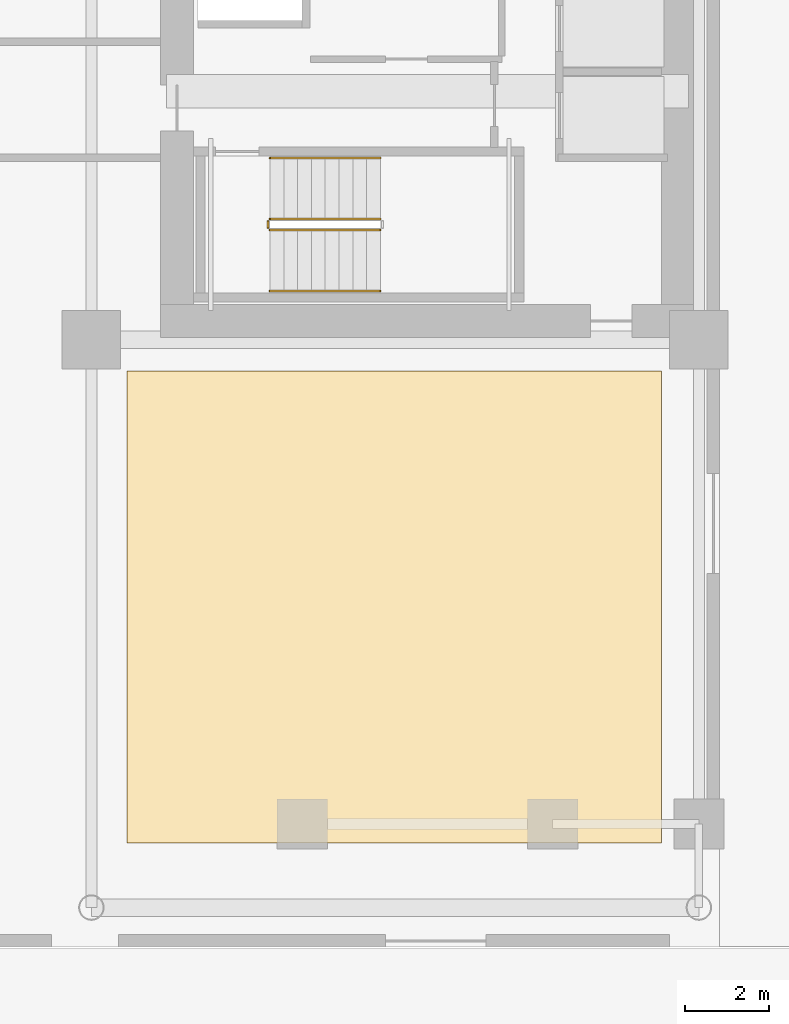
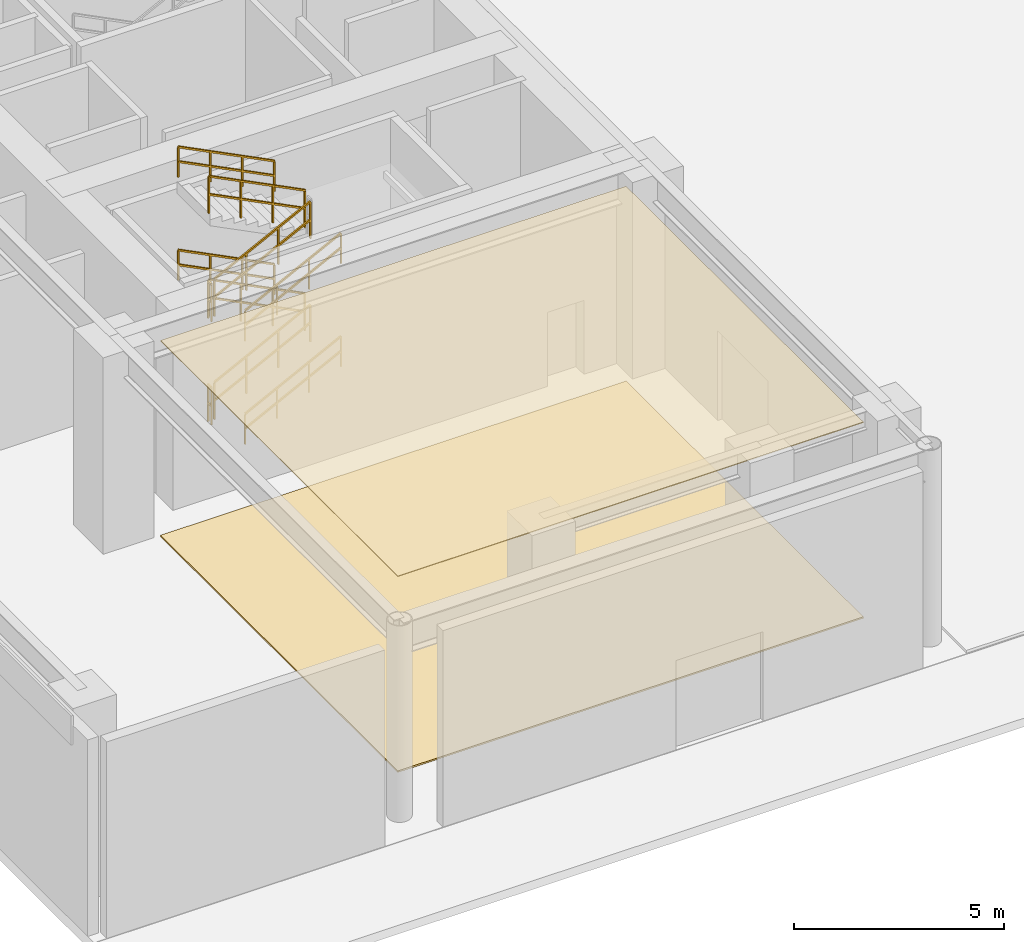
# One storey, part 10 of 17: 10 railings, 2 coverings.
"""IFC4 building model written with IfcOpenShell, lengths in metres."""

from ifc_helpers import new_model, si_unit, direction, frame, origin, origin_2d, place, context, subcontext, project, spatial, polyline, rectangle, outline, extrude, material, layer, layer_set, type_object, element, save


model = new_model("IFC4")

# Units and contexts
model_context = context("Model", 3, precision=1e-05, world=origin(), true_north=direction((0.0, 1.0)))
body_context = subcontext(model_context, "Body", "Model", "MODEL_VIEW")
ifc_project = project(units=[si_unit("LENGTHUNIT", "METRE"), si_unit("AREAUNIT", "SQUARE_METRE"), si_unit("VOLUMEUNIT", "CUBIC_METRE"), si_unit("PLANEANGLEUNIT", "RADIAN"), si_unit("MASSUNIT", "GRAM", prefix="KILO")], contexts=[model_context])

# Site, building, storey
site_placement = place(None, origin())
site = spatial("IfcSite", under=ifc_project, at=site_placement, CompositionType="ELEMENT")
building_placement = place(site_placement, origin())
building = spatial("IfcBuilding", under=site, at=building_placement, Name="Ocotamira Hotel", CompositionType="ELEMENT")
storey_placement = place(building_placement, origin())
storey = spatial("IfcBuildingStorey", under=building, at=storey_placement, Name="L01", CompositionType="ELEMENT", Elevation=0.0)

# Coverings
ifc_material_1 = material(Name="Perforated acoustic gypsum ceiling board", Category="gypsum")
ifc_layer_1 = layer(ifc_material_1, 0.02490234375)
ifc_layer_set_1 = layer_set([ifc_layer_1], Name="Perforated acoustic gypsum ceiling board")
covering_type_1 = type_object("IfcCoveringType", Name="COV-CEIL-25", PredefinedType="CEILING", material=ifc_layer_set_1)
covering_1_placement = place(storey_placement, frame((0.0, 0.0, 5.68505859375)))
element("IfcCovering", 1, at=covering_1_placement, inside=storey, type_object=covering_type_1, Name="L01 Acoustic Ceiling", PredefinedType="CEILING", context=body_context, shape_type="SweptSolid", body=[
    extrude(outline(polyline([(9.800048828125, 2.5), (22.60009765625, 2.5), (22.60009765625, 13.800048828125), (9.800048828125, 13.800048828125), (9.800048828125, 2.5)])), origin(), (0.0, 0.0, 1.0), 0.02490234375),
])
ifc_material_2 = material(Name="Thick-bed honed Mojave limestone flooring", Category="masonry")
ifc_layer_2 = layer(ifc_material_2, 0.044921875)
ifc_layer_set_2 = layer_set([ifc_layer_2], Name="Thick-bed honed Mojave limestone flooring")
covering_type_2 = type_object("IfcCoveringType", Name="COV-FLOR-45", PredefinedType="FLOORING", material=ifc_layer_set_2)
covering_2_placement = place(storey_placement, origin())
element("IfcCovering", 2, at=covering_2_placement, inside=storey, type_object=covering_type_2, Name="L01 Honed Stone Floor Finish", PredefinedType="FLOORING", context=body_context, shape_type="SweptSolid", body=[
    extrude(outline(polyline([(9.800048828125, 2.5), (22.60009765625, 2.5), (22.60009765625, 13.800048828125), (9.800048828125, 13.800048828125), (9.800048828125, 2.5)])), origin(), (0.0, 0.0, 1.0), 0.044921875),
])

# Railings
ifc_material_3 = material(Name="Brushed stainless steel handrail", Category="steel")
railing_type_1 = type_object("IfcRailingType", Name="RL-HAND-900", PredefinedType="HANDRAIL", material=ifc_material_3)
railing_1_placement = place(storey_placement, frame((13.22998046875, 15.719970703125, 0.333251953125)))
element("IfcRailing", 3, at=railing_1_placement, inside=storey, type_object=railing_type_1, Name="L01 ST-1 stair handrail 1", PredefinedType="HANDRAIL", context=body_context, shape_type="SweptSolid", body=[
    extrude(rectangle(XDim=0.048095703125, YDim=0.048095703125, at=origin_2d()), frame((0.0, 0.0, 0.8759765625), z_axis=(0.892603904193, 0.0, 0.450841735223), x_axis=(0.0, 1.0, 0.0)), (0.0, 0.0, 1.0), 2.957763671875),
    extrude(rectangle(XDim=0.048095703125, YDim=0.048095703125, at=origin_2d()), frame((0.0, 0.0, 0.449951171875), z_axis=(0.892603904193, 0.0, 0.450841735223), x_axis=(0.0, 1.0, 0.0)), (0.0, 0.0, 1.0), 2.957763671875),
    extrude(rectangle(XDim=0.0419921875, YDim=0.0419921875, at=origin_2d()), origin(), (0.0, 0.0, 1.0), 0.851806640625),
    extrude(rectangle(XDim=0.0419921875, YDim=0.0419921875, at=origin_2d()), frame((0.880126953125, 0.0, 0.444580078125)), (0.0, 0.0, 1.0), 0.851806640625),
    extrude(rectangle(XDim=0.0419921875, YDim=0.0419921875, at=origin_2d()), frame((1.760009765625, 0.0, 0.888916015625)), (0.0, 0.0, 1.0), 0.851806640625),
    extrude(rectangle(XDim=0.0419921875, YDim=0.0419921875, at=origin_2d()), frame((2.64013671875, 0.0, 1.33349609375)), (0.0, 0.0, 1.0), 0.851806640625),
])
railing_2_placement = place(storey_placement, frame((15.8701171875, 18.89990234375, 1.833251953125)))
element("IfcRailing", 4, at=railing_2_placement, inside=storey, type_object=railing_type_1, Name="L01 ST-1 stair handrail 2", PredefinedType="HANDRAIL", context=body_context, shape_type="SweptSolid", body=[
    extrude(rectangle(XDim=0.048095703125, YDim=0.048095703125, at=origin_2d()), frame((0.0, 0.0, 0.8759765625), z_axis=(-0.892603904193, 0.0, 0.450841735223), x_axis=(0.0, -1.0, 0.0)), (0.0, 0.0, 1.0), 2.957763671875),
    extrude(rectangle(XDim=0.048095703125, YDim=0.048095703125, at=origin_2d()), frame((0.0, 0.0, 0.449951171875), z_axis=(-0.892603904193, 0.0, 0.450841735223), x_axis=(0.0, -1.0, 0.0)), (0.0, 0.0, 1.0), 2.957763671875),
    extrude(rectangle(XDim=0.0419921875, YDim=0.0419921875, at=origin_2d()), origin(), (0.0, 0.0, 1.0), 0.851806640625),
    extrude(rectangle(XDim=0.0419921875, YDim=0.0419921875, at=origin_2d()), frame((-0.880126953125, 0.0, 0.444580078125)), (0.0, 0.0, 1.0), 0.851806640625),
    extrude(rectangle(XDim=0.0419921875, YDim=0.0419921875, at=origin_2d()), frame((-1.760009765625, 0.0, 0.888916015625)), (0.0, 0.0, 1.0), 0.851806640625),
    extrude(rectangle(XDim=0.0419921875, YDim=0.0419921875, at=origin_2d()), frame((-2.64013671875, 0.0, 1.33349609375)), (0.0, 0.0, 1.0), 0.851806640625),
])
railing_3_placement = place(storey_placement, frame((13.22998046875, 15.719970703125, 3.333251953125)))
element("IfcRailing", 5, at=railing_3_placement, inside=storey, type_object=railing_type_1, Name="L01 ST-1 stair handrail 3", PredefinedType="HANDRAIL", context=body_context, shape_type="SweptSolid", body=[
    extrude(rectangle(XDim=0.048095703125, YDim=0.048095703125, at=origin_2d()), frame((0.0, 0.0, 0.8759765625), z_axis=(0.892603904193, 0.0, 0.450841735223), x_axis=(0.0, 1.0, 0.0)), (0.0, 0.0, 1.0), 2.957763671875),
    extrude(rectangle(XDim=0.048095703125, YDim=0.048095703125, at=origin_2d()), frame((0.0, 0.0, 0.449951171875), z_axis=(0.892603904193, 0.0, 0.450841735223), x_axis=(0.0, 1.0, 0.0)), (0.0, 0.0, 1.0), 2.957763671875),
    extrude(rectangle(XDim=0.0419921875, YDim=0.0419921875, at=origin_2d()), origin(), (0.0, 0.0, 1.0), 0.851806640625),
    extrude(rectangle(XDim=0.0419921875, YDim=0.0419921875, at=origin_2d()), frame((0.880126953125, 0.0, 0.444580078125)), (0.0, 0.0, 1.0), 0.851806640625),
    extrude(rectangle(XDim=0.0419921875, YDim=0.0419921875, at=origin_2d()), frame((1.760009765625, 0.0, 0.888916015625)), (0.0, 0.0, 1.0), 0.851806640625),
    extrude(rectangle(XDim=0.0419921875, YDim=0.0419921875, at=origin_2d()), frame((2.64013671875, 0.0, 1.33349609375)), (0.0, 0.0, 1.0), 0.851806640625),
])
railing_4_placement = place(storey_placement, frame((15.8701171875, 18.89990234375, 4.833251953125)))
element("IfcRailing", 6, at=railing_4_placement, inside=storey, type_object=railing_type_1, Name="L01 ST-1 stair handrail 4", PredefinedType="HANDRAIL", context=body_context, shape_type="SweptSolid", body=[
    extrude(rectangle(XDim=0.048095703125, YDim=0.048095703125, at=origin_2d()), frame((0.0, 0.0, 0.8759765625), z_axis=(-0.892603904193, 0.0, 0.450841735223), x_axis=(0.0, -1.0, 0.0)), (0.0, 0.0, 1.0), 2.957763671875),
    extrude(rectangle(XDim=0.048095703125, YDim=0.048095703125, at=origin_2d()), frame((0.0, 0.0, 0.449951171875), z_axis=(-0.892603904193, 0.0, 0.450841735223), x_axis=(0.0, -1.0, 0.0)), (0.0, 0.0, 1.0), 2.957763671875),
    extrude(rectangle(XDim=0.0419921875, YDim=0.0419921875, at=origin_2d()), origin(), (0.0, 0.0, 1.0), 0.851806640625),
    extrude(rectangle(XDim=0.0419921875, YDim=0.0419921875, at=origin_2d()), frame((-0.880126953125, 0.0, 0.444580078125)), (0.0, 0.0, 1.0), 0.851806640625),
    extrude(rectangle(XDim=0.0419921875, YDim=0.0419921875, at=origin_2d()), frame((-1.760009765625, 0.0, 0.888916015625)), (0.0, 0.0, 1.0), 0.851806640625),
    extrude(rectangle(XDim=0.0419921875, YDim=0.0419921875, at=origin_2d()), frame((-2.64013671875, 0.0, 1.33349609375)), (0.0, 0.0, 1.0), 0.851806640625),
])
ifc_material_4 = material(Name="Painted steel stair guardrail", Category="steel")
railing_type_2 = type_object("IfcRailingType", Name="RL-STAIR-1100", PredefinedType="GUARDRAIL", material=ifc_material_4)
railing_5_placement = place(storey_placement, frame((13.22998046875, 17.179931640625, 0.166748046875)))
element("IfcRailing", 7, at=railing_5_placement, inside=storey, type_object=railing_type_2, Name="L01 ST-1 stair guard 1", PredefinedType="GUARDRAIL", context=body_context, shape_type="SweptSolid", body=[
    extrude(rectangle(XDim=0.048095703125, YDim=0.048095703125, at=origin_2d()), frame((0.0, 0.0, 1.076171875), z_axis=(0.892637119617, 0.0, 0.450775967286), x_axis=(0.0, 1.0, 0.0)), (0.0, 0.0, 1.0), 2.957763671875),
    extrude(rectangle(XDim=0.048095703125, YDim=0.048095703125, at=origin_2d()), frame((0.0, 0.0, 0.550048828125), z_axis=(0.892637119617, 0.0, 0.450775967286), x_axis=(0.0, 1.0, 0.0)), (0.0, 0.0, 1.0), 2.957763671875),
    extrude(rectangle(XDim=0.0419921875, YDim=0.0419921875, at=origin_2d()), origin(), (0.0, 0.0, 1.0), 1.052001953125),
    extrude(rectangle(XDim=0.0419921875, YDim=0.0419921875, at=origin_2d()), frame((0.880126953125, 0.0, 0.4443359375)), (0.0, 0.0, 1.0), 1.052001953125),
    extrude(rectangle(XDim=0.0419921875, YDim=0.0419921875, at=origin_2d()), frame((1.760009765625, 0.0, 0.888916015625)), (0.0, 0.0, 1.0), 1.052001953125),
    extrude(rectangle(XDim=0.0419921875, YDim=0.0419921875, at=origin_2d()), frame((2.64013671875, 0.0, 1.333251953125)), (0.0, 0.0, 1.0), 1.052001953125),
])
railing_6_placement = place(storey_placement, frame((15.8701171875, 17.43994140625, 1.666748046875)))
element("IfcRailing", 8, at=railing_6_placement, inside=storey, type_object=railing_type_2, Name="L01 ST-1 stair guard 3", PredefinedType="GUARDRAIL", context=body_context, shape_type="SweptSolid", body=[
    extrude(rectangle(XDim=0.048095703125, YDim=0.048095703125, at=origin_2d()), frame((0.0, 0.0, 1.076171875), z_axis=(-0.892637119617, 0.0, 0.450775967286), x_axis=(0.0, -1.0, 0.0)), (0.0, 0.0, 1.0), 2.957763671875),
    extrude(rectangle(XDim=0.048095703125, YDim=0.048095703125, at=origin_2d()), frame((0.0, 0.0, 0.550048828125), z_axis=(-0.892637119617, 0.0, 0.450775967286), x_axis=(0.0, -1.0, 0.0)), (0.0, 0.0, 1.0), 2.957763671875),
    extrude(rectangle(XDim=0.0419921875, YDim=0.0419921875, at=origin_2d()), origin(), (0.0, 0.0, 1.0), 1.052001953125),
    extrude(rectangle(XDim=0.0419921875, YDim=0.0419921875, at=origin_2d()), frame((-0.880126953125, 0.0, 0.4443359375)), (0.0, 0.0, 1.0), 1.052001953125),
    extrude(rectangle(XDim=0.0419921875, YDim=0.0419921875, at=origin_2d()), frame((-1.760009765625, 0.0, 0.888916015625)), (0.0, 0.0, 1.0), 1.052001953125),
    extrude(rectangle(XDim=0.0419921875, YDim=0.0419921875, at=origin_2d()), frame((-2.64013671875, 0.0, 1.333251953125)), (0.0, 0.0, 1.0), 1.052001953125),
])
railing_7_placement = place(storey_placement, frame((13.179931640625, 17.22998046875, 3.0)))
element("IfcRailing", 9, at=railing_7_placement, inside=storey, type_object=railing_type_2, Name="L01 ST-1 stair guard 4", PredefinedType="GUARDRAIL", context=body_context, shape_type="SweptSolid", body=[
    extrude(rectangle(XDim=0.048095703125, YDim=0.048095703125, at=origin_2d()), frame((0.0, 0.0, 1.076171875), z_axis=(0.0, 1.0, 0.0), x_axis=(-1.0, 0.0, 0.0)), (0.0, 0.0, 1.0), 0.159912109375),
    extrude(rectangle(XDim=0.048095703125, YDim=0.048095703125, at=origin_2d()), frame((0.0, 0.0, 0.550048828125), z_axis=(0.0, 1.0, 0.0), x_axis=(-1.0, 0.0, 0.0)), (0.0, 0.0, 1.0), 0.159912109375),
    extrude(rectangle(XDim=0.0419921875, YDim=0.0419921875, at=origin_2d()), origin(), (0.0, 0.0, 1.0), 1.052001953125),
    extrude(rectangle(XDim=0.0419921875, YDim=0.0419921875, at=origin_2d()), frame((0.0, 0.159912109375, 0.0)), (0.0, 0.0, 1.0), 1.052001953125),
])
railing_8_placement = place(storey_placement, frame((13.22998046875, 17.179931640625, 3.166748046875)))
element("IfcRailing", 10, at=railing_8_placement, inside=storey, type_object=railing_type_2, Name="L01 ST-1 stair guard 5", PredefinedType="GUARDRAIL", context=body_context, shape_type="SweptSolid", body=[
    extrude(rectangle(XDim=0.048095703125, YDim=0.048095703125, at=origin_2d()), frame((0.0, 0.0, 1.076171875), z_axis=(0.892637119617, 0.0, 0.450775967286), x_axis=(0.0, 1.0, 0.0)), (0.0, 0.0, 1.0), 2.957763671875),
    extrude(rectangle(XDim=0.048095703125, YDim=0.048095703125, at=origin_2d()), frame((0.0, 0.0, 0.550048828125), z_axis=(0.892637119617, 0.0, 0.450775967286), x_axis=(0.0, 1.0, 0.0)), (0.0, 0.0, 1.0), 2.957763671875),
    extrude(rectangle(XDim=0.0419921875, YDim=0.0419921875, at=origin_2d()), origin(), (0.0, 0.0, 1.0), 1.052001953125),
    extrude(rectangle(XDim=0.0419921875, YDim=0.0419921875, at=origin_2d()), frame((0.880126953125, 0.0, 0.4443359375)), (0.0, 0.0, 1.0), 1.052001953125),
    extrude(rectangle(XDim=0.0419921875, YDim=0.0419921875, at=origin_2d()), frame((1.760009765625, 0.0, 0.888916015625)), (0.0, 0.0, 1.0), 1.052001953125),
    extrude(rectangle(XDim=0.0419921875, YDim=0.0419921875, at=origin_2d()), frame((2.64013671875, 0.0, 1.333251953125)), (0.0, 0.0, 1.0), 1.052001953125),
])
railing_9_placement = place(storey_placement, frame((15.8701171875, 17.43994140625, 4.666748046875)))
element("IfcRailing", 11, at=railing_9_placement, inside=storey, type_object=railing_type_2, Name="L01 ST-1 stair guard 7", PredefinedType="GUARDRAIL", context=body_context, shape_type="SweptSolid", body=[
    extrude(rectangle(XDim=0.048095703125, YDim=0.048095703125, at=origin_2d()), frame((0.0, 0.0, 1.076171875), z_axis=(-0.892637119617, 0.0, 0.450775967286), x_axis=(0.0, -1.0, 0.0)), (0.0, 0.0, 1.0), 2.957763671875),
    extrude(rectangle(XDim=0.048095703125, YDim=0.048095703125, at=origin_2d()), frame((0.0, 0.0, 0.550048828125), z_axis=(-0.892637119617, 0.0, 0.450775967286), x_axis=(0.0, -1.0, 0.0)), (0.0, 0.0, 1.0), 2.957763671875),
    extrude(rectangle(XDim=0.0419921875, YDim=0.0419921875, at=origin_2d()), origin(), (0.0, 0.0, 1.0), 1.052001953125),
    extrude(rectangle(XDim=0.0419921875, YDim=0.0419921875, at=origin_2d()), frame((-0.880126953125, 0.0, 0.4443359375)), (0.0, 0.0, 1.0), 1.052001953125),
    extrude(rectangle(XDim=0.0419921875, YDim=0.0419921875, at=origin_2d()), frame((-1.760009765625, 0.0, 0.888916015625)), (0.0, 0.0, 1.0), 1.052001953125),
    extrude(rectangle(XDim=0.0419921875, YDim=0.0419921875, at=origin_2d()), frame((-2.64013671875, 0.0, 1.333251953125)), (0.0, 0.0, 1.0), 1.052001953125),
])
railing_10_placement = place(storey_placement, frame((13.179931640625, 17.22998046875, 0.0)))
element("IfcRailing", 12, at=railing_10_placement, inside=storey, type_object=railing_type_2, Name="L01 ST-1 stair guard 8", PredefinedType="GUARDRAIL", context=body_context, shape_type="SweptSolid", body=[
    extrude(rectangle(XDim=0.048095703125, YDim=0.048095703125, at=origin_2d()), frame((0.0, 0.0, 1.076171875), z_axis=(0.0, 1.0, 0.0), x_axis=(-1.0, 0.0, 0.0)), (0.0, 0.0, 1.0), 0.159912109375),
    extrude(rectangle(XDim=0.048095703125, YDim=0.048095703125, at=origin_2d()), frame((0.0, 0.0, 0.550048828125), z_axis=(0.0, 1.0, 0.0), x_axis=(-1.0, 0.0, 0.0)), (0.0, 0.0, 1.0), 0.159912109375),
    extrude(rectangle(XDim=0.0419921875, YDim=0.0419921875, at=origin_2d()), origin(), (0.0, 0.0, 1.0), 1.052001953125),
    extrude(rectangle(XDim=0.0419921875, YDim=0.0419921875, at=origin_2d()), frame((0.0, 0.159912109375, 0.0)), (0.0, 0.0, 1.0), 1.052001953125),
])

save(model, "model.ifc")
